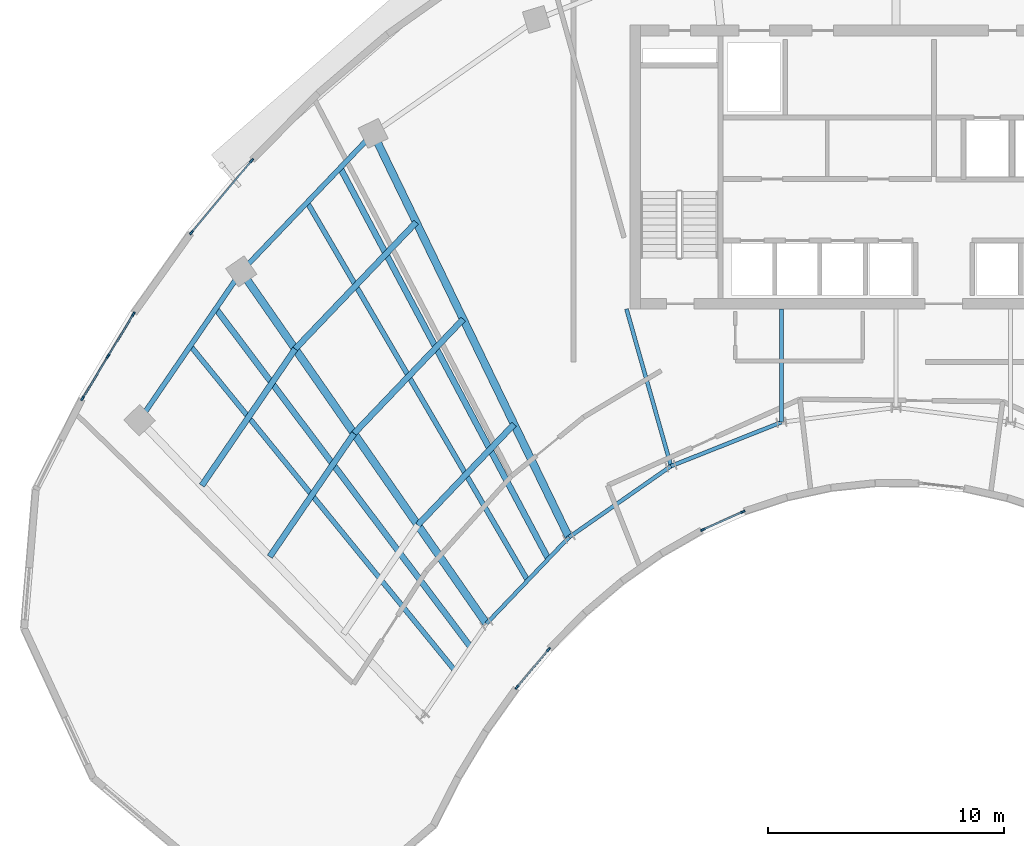
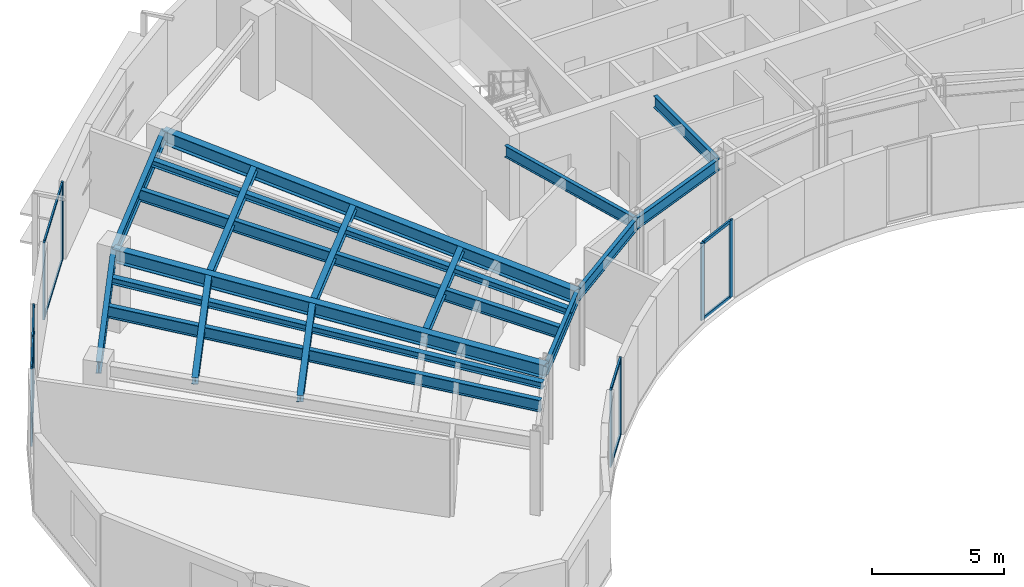
# One storey, part 2 of 12: 21 members, 18 beams, 4 elements without a shape of their own.
"""IFC4 building model written with IfcOpenShell, lengths in metres."""

from ifc_helpers import new_model, si_unit, direction, frame, origin, origin_2d, place, context, subcontext, project, spatial, rectangle, i_section, extrude, source, transform, mapped, material, layer, layer_set, material_profile, profile_set, type_object, type_shapes, element, aggregate, save


model = new_model("IFC4")

# Units and contexts
model_context = context("Model", 3, precision=1e-05, world=origin(), true_north=direction((0.0, 1.0)))
body_context = subcontext(model_context, "Body", "Model", "MODEL_VIEW")
ifc_project = project(units=[si_unit("LENGTHUNIT", "METRE"), si_unit("AREAUNIT", "SQUARE_METRE"), si_unit("VOLUMEUNIT", "CUBIC_METRE"), si_unit("PLANEANGLEUNIT", "RADIAN"), si_unit("MASSUNIT", "GRAM", prefix="KILO")], contexts=[model_context])

# Site, building, storey
site_placement = place(None, origin())
site = spatial("IfcSite", under=ifc_project, at=site_placement, CompositionType="ELEMENT")
building_placement = place(site_placement, origin())
building = spatial("IfcBuilding", under=site, at=building_placement, Name="Breltana Convention Tower", CompositionType="ELEMENT")
storey_placement = place(building_placement, frame((0.0, 0.0, 250.800048828125)))
storey = spatial("IfcBuildingStorey", under=building, at=storey_placement, Name="L61", CompositionType="ELEMENT", Elevation=250.800048828125)

# Beams
ifc_material_1 = material(Name="Steel ASTM A992 Grade 50", Category="steel")
ifc_material_profile_1 = material_profile(ifc_material_1, i_section(OverallWidth=0.166015625, OverallDepth=0.534912109375, WebThickness=0.01025390625, FlangeThickness=0.0166015625, at=origin_2d()), Name="W21X57")
ifc_profile_set_1 = profile_set([ifc_material_profile_1], Name="Steel ASTM A992 Grade 50")
beam_type_1 = type_object("IfcBeamType", Name="BM-BM-W21X57", PredefinedType="BEAM", material=ifc_profile_set_1)
shared_shape_1 = source(origin(), body_context, "Body", "SweptSolid", [
    extrude(i_section(OverallWidth=0.166015625, OverallDepth=0.534912109375, WebThickness=0.01025390625, FlangeThickness=0.0166015625, at=origin_2d()), origin(), (0.0, 0.0, 1.0), 6.904541015625),
])
type_shapes(beam_type_1, [shared_shape_1])
beam_1_placement = place(storey_placement, frame((36.60009765625, 60.199951171875, 3.3125), z_axis=(0.273006781054, -0.962012108811, 0.0), x_axis=(0.962012108811, 0.273006781054, 0.0)))
element("IfcBeam", 1, at=beam_1_placement, inside=storey, type_object=beam_type_1, Name="L61 South Core Tie Girder R04", PredefinedType="BEAM", context=body_context, shape_type="MappedRepresentation", body=[
    mapped(shared_shape_1, transform((0.0, 0.0, 0.0), scale=1.0)),
])
shared_shape_2 = source(origin(), body_context, "Body", "SweptSolid", [
    extrude(i_section(OverallWidth=0.166015625, OverallDepth=0.534912109375, WebThickness=0.01025390625, FlangeThickness=0.0166015625, at=origin_2d()), origin(), (0.0, 0.0, 1.0), 4.789306640625),
])
beam_2_placement = place(storey_placement, frame((43.153564453125, 60.199951171875, 3.3125), z_axis=(0.0, -1.0, 0.0), x_axis=(1.0, 0.0, 0.0)))
element("IfcBeam", 2, at=beam_2_placement, inside=storey, type_object=beam_type_1, Name="L61 South Core Tie Girder R05", PredefinedType="BEAM", context=body_context, shape_type="MappedRepresentation", body=[
    mapped(shared_shape_2, transform((0.0, 0.0, 0.0), scale=1.0)),
])
shared_shape_3 = source(origin(), body_context, "Body", "SweptSolid", [
    extrude(i_section(OverallWidth=0.166015625, OverallDepth=0.534912109375, WebThickness=0.01025390625, FlangeThickness=0.0166015625, at=origin_2d()), origin(), (0.0, 0.0, 1.0), 5.05126953125),
])
beam_3_placement = place(storey_placement, frame((30.67724609375, 46.892333984375, 3.3125), z_axis=(0.690729753845, 0.7231129975, 0.0), x_axis=(-0.7231129975, 0.690729753845, 0.0)))
element("IfcBeam", 3, at=beam_3_placement, inside=storey, type_object=beam_type_1, Name="L61 Inner Ring Beam 02", PredefinedType="BEAM", context=body_context, shape_type="MappedRepresentation", body=[
    mapped(shared_shape_3, transform((0.0, 0.0, 0.0), scale=1.0)),
])
shared_shape_4 = source(origin(), body_context, "Body", "SweptSolid", [
    extrude(i_section(OverallWidth=0.166015625, OverallDepth=0.534912109375, WebThickness=0.01025390625, FlangeThickness=0.0166015625, at=origin_2d()), origin(), (0.0, 0.0, 1.0), 5.265869140625),
])
beam_4_placement = place(storey_placement, frame((34.166259765625, 50.544921875, 3.3125), z_axis=(0.820167429517, 0.572123577176, 0.0), x_axis=(-0.572123577176, 0.820167429517, 0.0)))
element("IfcBeam", 4, at=beam_4_placement, inside=storey, type_object=beam_type_1, Name="L61 Inner Ring Beam 03", PredefinedType="BEAM", context=body_context, shape_type="MappedRepresentation", body=[
    mapped(shared_shape_4, transform((0.0, 0.0, 0.0), scale=1.0)),
])
shared_shape_5 = source(origin(), body_context, "Body", "SweptSolid", [
    extrude(i_section(OverallWidth=0.166015625, OverallDepth=0.534912109375, WebThickness=0.01025390625, FlangeThickness=0.0166015625, at=origin_2d()), origin(), (0.0, 0.0, 1.0), 5.022705078125),
])
beam_5_placement = place(storey_placement, frame((38.485107421875, 53.5576171875, 3.3125), z_axis=(0.929458966248, 0.368925507469, 0.0), x_axis=(-0.368925507469, 0.929458966248, 0.0)))
element("IfcBeam", 5, at=beam_5_placement, inside=storey, type_object=beam_type_1, Name="L61 Inner Ring Beam 04", PredefinedType="BEAM", context=body_context, shape_type="MappedRepresentation", body=[
    mapped(shared_shape_5, transform((0.0, 0.0, 0.0), scale=1.0)),
])
ifc_material_profile_2 = material_profile(ifc_material_1, i_section(OverallWidth=0.25390625, OverallDepth=0.305908203125, WebThickness=0.0087890625, FlangeThickness=0.0146484375, at=origin_2d()), Name="W12X53")
ifc_profile_set_2 = profile_set([ifc_material_profile_2], Name="Steel ASTM A992 Grade 50")
beam_type_2 = type_object("IfcBeamType", Name="BM-JSG-10", PredefinedType="JOIST", material=ifc_profile_set_2)
shared_shape_6 = source(origin(), body_context, "Body", "SweptSolid", [
    extrude(i_section(OverallWidth=0.25390625, OverallDepth=0.305908203125, WebThickness=0.0087890625, FlangeThickness=0.0146484375, at=origin_2d()), origin(), (0.0, 0.0, 1.0), 6.311767578125),
])
beam_6_placement = place(storey_placement, frame((21.5166015625, 49.72607421875, 3.427001953125), z_axis=(0.564453712577, 0.825464721449, 0.0), x_axis=(-0.825464721449, 0.564453712577, 0.0)))
element("IfcBeam", 6, at=beam_6_placement, inside=storey, type_object=beam_type_2, Name="L61 Composite Floor Joist 01.2", PredefinedType="JOIST", context=body_context, shape_type="MappedRepresentation", body=[
    mapped(shared_shape_6, transform((0.0, 0.0, 0.0), scale=1.0)),
])
shared_shape_7 = source(origin(), body_context, "Body", "SweptSolid", [
    extrude(i_section(OverallWidth=0.25390625, OverallDepth=0.305908203125, WebThickness=0.0087890625, FlangeThickness=0.0146484375, at=origin_2d()), origin(), (0.0, 0.0, 1.0), 6.997314453125),
])
beam_7_placement = place(storey_placement, frame((18.641845703125, 52.735595703125, 3.427001953125), z_axis=(0.564468756361, 0.825454434292, 0.0), x_axis=(-0.825454434292, 0.564468756361, 0.0)))
element("IfcBeam", 7, at=beam_7_placement, inside=storey, type_object=beam_type_2, Name="L61 Composite Floor Joist 01.3", PredefinedType="JOIST", context=body_context, shape_type="MappedRepresentation", body=[
    mapped(shared_shape_7, transform((0.0, 0.0, 0.0), scale=1.0)),
])
ifc_material_profile_3 = material_profile(ifc_material_1, i_section(OverallWidth=0.214111328125, OverallDepth=0.549072265625, WebThickness=0.0146484375, FlangeThickness=0.023681640625, at=origin_2d()), Name="W21X93")
ifc_profile_set_3 = profile_set([ifc_material_profile_3], Name="Steel ASTM A992 Grade 50")
beam_type_3 = type_object("IfcBeamType", Name="BM-JSG-03", PredefinedType="JOIST", material=ifc_profile_set_3)
shared_shape_8 = source(origin(), body_context, "Body", "SweptSolid", [
    extrude(i_section(OverallWidth=0.214111328125, OverallDepth=0.549072265625, WebThickness=0.0146484375, FlangeThickness=0.023681640625, at=origin_2d()), origin(), (0.0, 0.0, 1.0), 17.691650390625),
])
beam_8_placement = place(storey_placement, frame((29.330810546875, 44.923583984375, 3.305419921875), z_axis=(-0.631476958478, 0.775394642044, 0.0), x_axis=(-0.775394642044, -0.631476958478, 0.0)))
element("IfcBeam", 8, at=beam_8_placement, inside=storey, type_object=beam_type_3, Name="L61 Mid-Bay Radial Trimmer 01", PredefinedType="JOIST", context=body_context, shape_type="MappedRepresentation", body=[
    mapped(shared_shape_8, transform((0.0, 0.0, 0.0), scale=1.0)),
])
shared_shape_9 = source(origin(), body_context, "Body", "SweptSolid", [
    extrude(i_section(OverallWidth=0.25390625, OverallDepth=0.305908203125, WebThickness=0.0087890625, FlangeThickness=0.0146484375, at=origin_2d()), origin(), (0.0, 0.0, 1.0), 17.9072265625),
])
beam_9_placement = place(storey_placement, frame((30.00390625, 45.907958984375, 3.427001953125), z_axis=(-0.601382105028, 0.798961553363, 0.0), x_axis=(-0.798961553363, -0.601382105028, 0.0)))
element("IfcBeam", 9, at=beam_9_placement, inside=storey, type_object=beam_type_2, Name="L61 Quarter-Bay Radial Trimmer 01", PredefinedType="JOIST", context=body_context, shape_type="MappedRepresentation", body=[
    mapped(shared_shape_9, transform((0.0, 0.0, 0.0), scale=1.0)),
])
shared_shape_10 = source(origin(), body_context, "Body", "SweptSolid", [
    extrude(i_section(OverallWidth=0.25390625, OverallDepth=0.305908203125, WebThickness=0.0087890625, FlangeThickness=0.0146484375, at=origin_2d()), origin(), (0.0, 0.0, 1.0), 5.8974609375),
])
beam_10_placement = place(storey_placement, frame((27.774658203125, 51.063232421875, 3.427001953125), z_axis=(0.690713978666, 0.723128065888, 0.0), x_axis=(-0.723128065888, 0.690713978666, 0.0)))
element("IfcBeam", 10, at=beam_10_placement, inside=storey, type_object=beam_type_2, Name="L61 Composite Floor Joist 02.1", PredefinedType="JOIST", context=body_context, shape_type="MappedRepresentation", body=[
    mapped(shared_shape_10, transform((0.0, 0.0, 0.0), scale=1.0)),
])
shared_shape_11 = source(origin(), body_context, "Body", "SweptSolid", [
    extrude(i_section(OverallWidth=0.25390625, OverallDepth=0.305908203125, WebThickness=0.0087890625, FlangeThickness=0.0146484375, at=origin_2d()), origin(), (0.0, 0.0, 1.0), 6.68359375),
])
beam_11_placement = place(storey_placement, frame((25.079345703125, 54.936279296875, 3.427001953125), z_axis=(0.690720705885, 0.723121640156, 0.0), x_axis=(-0.723121640156, 0.690720705885, 0.0)))
element("IfcBeam", 11, at=beam_11_placement, inside=storey, type_object=beam_type_2, Name="L61 Composite Floor Joist 02.2", PredefinedType="JOIST", context=body_context, shape_type="MappedRepresentation", body=[
    mapped(shared_shape_11, transform((0.0, 0.0, 0.0), scale=1.0)),
])
shared_shape_12 = source(origin(), body_context, "Body", "SweptSolid", [
    extrude(i_section(OverallWidth=0.25390625, OverallDepth=0.305908203125, WebThickness=0.0087890625, FlangeThickness=0.0146484375, at=origin_2d()), origin(), (0.0, 0.0, 1.0), 7.40869140625),
])
beam_12_placement = place(storey_placement, frame((22.591552734375, 58.511474609375, 3.427001953125), z_axis=(0.690724936208, 0.723117599358, 0.0), x_axis=(-0.723117599358, 0.690724936208, 0.0)))
element("IfcBeam", 12, at=beam_12_placement, inside=storey, type_object=beam_type_2, Name="L61 Composite Floor Joist 02.3", PredefinedType="JOIST", context=body_context, shape_type="MappedRepresentation", body=[
    mapped(shared_shape_12, transform((0.0, 0.0, 0.0), scale=1.0)),
])
shared_shape_13 = source(origin(), body_context, "Body", "SweptSolid", [
    extrude(i_section(OverallWidth=0.214111328125, OverallDepth=0.549072265625, WebThickness=0.0146484375, FlangeThickness=0.023681640625, at=origin_2d()), origin(), (0.0, 0.0, 1.0), 18.50830078125),
])
beam_13_placement = place(storey_placement, frame((32.421630859375, 48.71875, 3.305419921875), z_axis=(-0.50368319637, 0.863888440537, 0.0), x_axis=(-0.863888440537, -0.50368319637, 0.0)))
element("IfcBeam", 13, at=beam_13_placement, inside=storey, type_object=beam_type_3, Name="L61 Mid-Bay Radial Trimmer 02", PredefinedType="JOIST", context=body_context, shape_type="MappedRepresentation", body=[
    mapped(shared_shape_13, transform((0.0, 0.0, 0.0), scale=1.0)),
])
shared_shape_14 = source(origin(), body_context, "Body", "SweptSolid", [
    extrude(i_section(OverallWidth=0.25390625, OverallDepth=0.305908203125, WebThickness=0.0087890625, FlangeThickness=0.0146484375, at=origin_2d()), origin(), (0.0, 0.0, 1.0), 18.731689453125),
])
beam_14_placement = place(storey_placement, frame((33.2939453125, 49.6318359375, 3.427001953125), z_axis=(-0.469820250451, 0.882762104004, 0.0), x_axis=(-0.882762104004, -0.469820250451, 0.0)))
element("IfcBeam", 14, at=beam_14_placement, inside=storey, type_object=beam_type_2, Name="L61 Quarter-Bay Radial Trimmer 02", PredefinedType="JOIST", context=body_context, shape_type="MappedRepresentation", body=[
    mapped(shared_shape_14, transform((0.0, 0.0, 0.0), scale=1.0)),
])
ifc_material_profile_4 = material_profile(ifc_material_1, i_section(OverallWidth=0.326904296875, OverallDepth=0.6220703125, WebThickness=0.015380859375, FlangeThickness=0.0244140625, at=origin_2d()), Name="W24X131")
ifc_profile_set_4 = profile_set([ifc_material_profile_4], Name="Steel ASTM A992 Grade 50")
beam_type_4 = type_object("IfcBeamType", Name="BM-RG-W24X131", PredefinedType="USERDEFINED", material=ifc_profile_set_4)
shared_shape_15 = source(origin(), body_context, "Body", "SweptSolid", [
    extrude(i_section(OverallWidth=0.326904296875, OverallDepth=0.6220703125, WebThickness=0.015380859375, FlangeThickness=0.0244140625, at=origin_2d()), origin(), (0.0, 0.0, 1.0), 18.1484375),
])
beam_15_placement = place(storey_placement, frame((30.67724609375, 46.892333984375, 3.26904296875), z_axis=(-0.571207556098, 0.820805657788, 0.0), x_axis=(-0.820805657788, -0.571207556098, 0.0)))
element("IfcBeam", 15, at=beam_15_placement, inside=storey, type_object=beam_type_4, Name="L61 Radial Floor Girder R02", ObjectType="GIRDER", PredefinedType="USERDEFINED", context=body_context, shape_type="MappedRepresentation", body=[
    mapped(shared_shape_15, transform((0.0, 0.0, 0.0), scale=1.0)),
])
shared_shape_16 = source(origin(), body_context, "Body", "SweptSolid", [
    extrude(i_section(OverallWidth=0.326904296875, OverallDepth=0.6220703125, WebThickness=0.015380859375, FlangeThickness=0.0244140625, at=origin_2d()), origin(), (0.0, 0.0, 1.0), 18.982421875),
])
beam_16_placement = place(storey_placement, frame((34.166259765625, 50.544921875, 3.26904296875), z_axis=(-0.436118560343, 0.89988921614, 0.0), x_axis=(-0.89988921614, -0.436118560343, 0.0)))
element("IfcBeam", 16, at=beam_16_placement, inside=storey, type_object=beam_type_4, Name="L61 Radial Floor Girder R03", ObjectType="GIRDER", PredefinedType="USERDEFINED", context=body_context, shape_type="MappedRepresentation", body=[
    mapped(shared_shape_16, transform((0.0, 0.0, 0.0), scale=1.0)),
])
ifc_material_profile_5 = material_profile(ifc_material_1, i_section(OverallWidth=0.214111328125, OverallDepth=0.549072265625, WebThickness=0.0146484375, FlangeThickness=0.023681640625, at=origin_2d()), Name="W21X93")
ifc_profile_set_5 = profile_set([ifc_material_profile_5], Name="Steel ASTM A992 Grade 50")
beam_type_5 = type_object("IfcBeamType", Name="BM-SP-W21X93", PredefinedType="SPANDREL", material=ifc_profile_set_5)
shared_shape_17 = source(origin(), body_context, "Body", "SweptSolid", [
    extrude(i_section(OverallWidth=0.214111328125, OverallDepth=0.549072265625, WebThickness=0.0146484375, FlangeThickness=0.023681640625, at=origin_2d()), origin(), (0.0, 0.0, 1.0), 7.625),
])
type_shapes(beam_type_5, [shared_shape_17])
beam_17_placement = place(storey_placement, frame((16.0068359375, 55.494384765625, 3.305419921875), z_axis=(0.564452031902, 0.825465870694, 0.0), x_axis=(-0.825465870694, 0.564452031902, 0.0)))
element("IfcBeam", 17, at=beam_17_placement, inside=storey, type_object=beam_type_5, Name="L61 Outer Spandrel Beam 01", PredefinedType="SPANDREL", context=body_context, shape_type="MappedRepresentation", body=[
    mapped(shared_shape_17, transform((0.0, 0.0, 0.0), scale=1.0)),
])
shared_shape_18 = source(origin(), body_context, "Body", "SweptSolid", [
    extrude(i_section(OverallWidth=0.214111328125, OverallDepth=0.549072265625, WebThickness=0.0146484375, FlangeThickness=0.023681640625, at=origin_2d()), origin(), (0.0, 0.0, 1.0), 8.073974609375),
])
beam_18_placement = place(storey_placement, frame((20.310791015625, 61.78857421875, 3.305419921875), z_axis=(0.69072885448, 0.723113856588, 0.0), x_axis=(-0.723113856588, 0.69072885448, 0.0)))
element("IfcBeam", 18, at=beam_18_placement, inside=storey, type_object=beam_type_5, Name="L61 Outer Spandrel Beam 02", PredefinedType="SPANDREL", context=body_context, shape_type="MappedRepresentation", body=[
    mapped(shared_shape_18, transform((0.0, 0.0, 0.0), scale=1.0)),
])

# Curtain wall, members
ifc_material_2 = material(Name="Aluminium Anodised Bronze Frame", Category="aluminium")
ifc_layer_1 = layer(ifc_material_2, 0.18994140625, Name="Aluminium Anodised Bronze Frame")
ifc_layer_set_1 = layer_set([ifc_layer_1], Name="Aluminium Anodised Bronze Frame")
curtain_wall_type_1 = type_object("IfcCurtainWallType", Name="CW-SYS-1", PredefinedType="NOTDEFINED", material=ifc_layer_set_1)
curtain_wall_1_placement = place(storey_placement, origin())
curtain_wall_1 = element("IfcCurtainWall", 19, at=curtain_wall_1_placement, inside=storey, type_object=curtain_wall_type_1, Name="L61 inner south-court glazing 4", PredefinedType="NOTDEFINED")
ifc_material_3 = material(Name="Aluminium Anodised Bronze", Category="aluminium")
ifc_material_profile_6 = material_profile(ifc_material_3, rectangle(XDim=0.080078125, YDim=0.139892578125, at=origin_2d()), Name="CWT-80X140")
ifc_profile_set_6 = profile_set([ifc_material_profile_6], Name="Aluminium Anodised Bronze")
member_type_1 = type_object("IfcMemberType", Name="CWT-140", PredefinedType="USERDEFINED", material=ifc_profile_set_6)
shared_shape_19 = source(origin(), body_context, "Body", "SweptSolid", [
    extrude(rectangle(XDim=0.080078125, YDim=0.139892578125, at=origin_2d()), origin(), (0.0, 0.0, 1.0), 1.770751953125),
])
member_1_placement = place(storey_placement, frame((41.48388671875, 51.606689453125, 0.0400390625), z_axis=(-0.9126937852, -0.408644166062, 0.0), x_axis=(0.408644166062, -0.9126937852, 0.0)))
member_1 = element("IfcMember", 20, at=member_1_placement, type_object=member_type_1, Name="CW-01 transom 1.1", ObjectType="TRANSOM", PredefinedType="USERDEFINED", context=body_context, shape_type="MappedRepresentation", body=[
    mapped(shared_shape_19, transform((0.0, 0.0, 0.0), scale=1.0)),
])
member_2_placement = place(storey_placement, frame((41.48388671875, 51.606689453125, 3.5400390625), z_axis=(-0.9126937852, -0.408644166062, 0.0), x_axis=(0.408644166062, -0.9126937852, 0.0)))
member_2 = element("IfcMember", 21, at=member_2_placement, type_object=member_type_1, Name="CW-01 transom 1.2", ObjectType="TRANSOM", PredefinedType="USERDEFINED", context=body_context, shape_type="MappedRepresentation", body=[
    mapped(shared_shape_19, transform((0.0, 0.0, 0.0), scale=1.0)),
])

curtain_wall_2_placement = place(storey_placement, origin())
curtain_wall_2 = element("IfcCurtainWall", 22, at=curtain_wall_2_placement, inside=storey, type_object=curtain_wall_type_1, Name="L61 inner south-court glazing 5", PredefinedType="NOTDEFINED")
shared_shape_20 = source(origin(), body_context, "Body", "SweptSolid", [
    extrude(rectangle(XDim=0.080078125, YDim=0.139892578125, at=origin_2d()), origin(), (0.0, 0.0, 1.0), 2.000732421875),
])
member_3_placement = place(storey_placement, frame((33.275390625, 45.766357421875, 0.0400390625), z_axis=(-0.641731421328, -0.766929451045, 0.0), x_axis=(0.766929451045, -0.641731421328, 0.0)))
member_3 = element("IfcMember", 23, at=member_3_placement, type_object=member_type_1, Name="CW-01 transom 1.1", ObjectType="TRANSOM", PredefinedType="USERDEFINED", context=body_context, shape_type="MappedRepresentation", body=[
    mapped(shared_shape_20, transform((0.0, 0.0, 0.0), scale=1.0)),
])
member_4_placement = place(storey_placement, frame((33.275390625, 45.766357421875, 3.5400390625), z_axis=(-0.641731421328, -0.766929451045, 0.0), x_axis=(0.766929451045, -0.641731421328, 0.0)))
member_4 = element("IfcMember", 24, at=member_4_placement, type_object=member_type_1, Name="CW-01 transom 1.2", ObjectType="TRANSOM", PredefinedType="USERDEFINED", context=body_context, shape_type="MappedRepresentation", body=[
    mapped(shared_shape_20, transform((0.0, 0.0, 0.0), scale=1.0)),
])

ifc_layer_2 = layer(ifc_material_2, 0.219970703125, Name="Aluminium Anodised Bronze Frame")
ifc_layer_set_2 = layer_set([ifc_layer_2], Name="Aluminium Anodised Bronze Frame")
curtain_wall_type_2 = type_object("IfcCurtainWallType", Name="CW-SYS-4", PredefinedType="NOTDEFINED", material=ifc_layer_set_2)
curtain_wall_3_placement = place(storey_placement, origin())
curtain_wall_3 = element("IfcCurtainWall", 25, at=curtain_wall_3_placement, inside=storey, type_object=curtain_wall_type_2, Name="L61 outer double-skin inner glazing 1", PredefinedType="NOTDEFINED")
ifc_material_profile_7 = material_profile(ifc_material_3, rectangle(XDim=0.070068359375, YDim=0.1201171875, at=origin_2d()), Name="CWT-70X120")
ifc_profile_set_7 = profile_set([ifc_material_profile_7], Name="Aluminium Anodised Bronze")
member_type_2 = type_object("IfcMemberType", Name="CWT-120", PredefinedType="USERDEFINED", material=ifc_profile_set_7)
shared_shape_21 = source(origin(), body_context, "Body", "SweptSolid", [
    extrude(rectangle(XDim=0.070068359375, YDim=0.1201171875, at=origin_2d()), origin(), (0.0, 0.0, 1.0), 2.001220703125),
])
member_5_placement = place(storey_placement, frame((13.61962890625, 56.455810546875, 0.034912109375), z_axis=(0.516897775642, 0.856047130441, 0.0), x_axis=(-0.856047130441, 0.516897775642, 0.0)))
member_5 = element("IfcMember", 26, at=member_5_placement, type_object=member_type_2, Name="CW-04 transom 1.1", ObjectType="TRANSOM", PredefinedType="USERDEFINED", context=body_context, shape_type="MappedRepresentation", body=[
    mapped(shared_shape_21, transform((0.0, 0.0, 0.0), scale=1.0)),
])
member_6_placement = place(storey_placement, frame((13.61962890625, 56.455810546875, 2.326904296875), z_axis=(0.516897775642, 0.856047130441, 0.0), x_axis=(-0.856047130441, 0.516897775642, 0.0)))
member_6 = element("IfcMember", 27, at=member_6_placement, type_object=member_type_2, Name="CW-04 transom 1.2", ObjectType="TRANSOM", PredefinedType="USERDEFINED", context=body_context, shape_type="MappedRepresentation", body=[
    mapped(shared_shape_21, transform((0.0, 0.0, 0.0), scale=1.0)),
])
member_7_placement = place(storey_placement, frame((13.61962890625, 56.455810546875, 3.544921875), z_axis=(0.516897775642, 0.856047130441, 0.0), x_axis=(-0.856047130441, 0.516897775642, 0.0)))
member_7 = element("IfcMember", 28, at=member_7_placement, type_object=member_type_2, Name="CW-04 transom 1.3", ObjectType="TRANSOM", PredefinedType="USERDEFINED", context=body_context, shape_type="MappedRepresentation", body=[
    mapped(shared_shape_21, transform((0.0, 0.0, 0.0), scale=1.0)),
])
member_8_placement = place(storey_placement, frame((14.6953125, 58.2373046875, 0.034912109375), z_axis=(0.516897775642, 0.856047130441, 0.0), x_axis=(-0.856047130441, 0.516897775642, 0.0)))
member_8 = element("IfcMember", 29, at=member_8_placement, type_object=member_type_2, Name="CW-04 transom 2.1", ObjectType="TRANSOM", PredefinedType="USERDEFINED", context=body_context, shape_type="MappedRepresentation", body=[
    mapped(shared_shape_21, transform((0.0, 0.0, 0.0), scale=1.0)),
])
member_9_placement = place(storey_placement, frame((14.6953125, 58.2373046875, 2.326904296875), z_axis=(0.516897775642, 0.856047130441, 0.0), x_axis=(-0.856047130441, 0.516897775642, 0.0)))
member_9 = element("IfcMember", 30, at=member_9_placement, type_object=member_type_2, Name="CW-04 transom 2.2", ObjectType="TRANSOM", PredefinedType="USERDEFINED", context=body_context, shape_type="MappedRepresentation", body=[
    mapped(shared_shape_21, transform((0.0, 0.0, 0.0), scale=1.0)),
])
member_10_placement = place(storey_placement, frame((14.6953125, 58.2373046875, 3.544921875), z_axis=(0.516897775642, 0.856047130441, 0.0), x_axis=(-0.856047130441, 0.516897775642, 0.0)))
member_10 = element("IfcMember", 31, at=member_10_placement, type_object=member_type_2, Name="CW-04 transom 2.3", ObjectType="TRANSOM", PredefinedType="USERDEFINED", context=body_context, shape_type="MappedRepresentation", body=[
    mapped(shared_shape_21, transform((0.0, 0.0, 0.0), scale=1.0)),
])

curtain_wall_4_placement = place(storey_placement, origin())
curtain_wall_4 = element("IfcCurtainWall", 32, at=curtain_wall_4_placement, inside=storey, type_object=curtain_wall_type_2, Name="L61 outer double-skin inner glazing 2", PredefinedType="NOTDEFINED")
shared_shape_22 = source(origin(), body_context, "Body", "SweptSolid", [
    extrude(rectangle(XDim=0.070068359375, YDim=0.1201171875, at=origin_2d()), origin(), (0.0, 0.0, 1.0), 3.892333984375),
])
member_11_placement = place(storey_placement, frame((18.22705078125, 63.4609375, 0.034912109375), z_axis=(0.641768558813, 0.766898374571, 0.0), x_axis=(-0.766898374571, 0.641768558813, 0.0)))
member_11 = element("IfcMember", 33, at=member_11_placement, type_object=member_type_2, Name="CW-04 transom 1.1", ObjectType="TRANSOM", PredefinedType="USERDEFINED", context=body_context, shape_type="MappedRepresentation", body=[
    mapped(shared_shape_22, transform((0.0, 0.0, 0.0), scale=1.0)),
])
member_12_placement = place(storey_placement, frame((18.22705078125, 63.4609375, 3.544921875), z_axis=(0.641768558813, 0.766898374571, 0.0), x_axis=(-0.766898374571, 0.641768558813, 0.0)))
member_12 = element("IfcMember", 34, at=member_12_placement, type_object=member_type_2, Name="CW-04 transom 1.2", ObjectType="TRANSOM", PredefinedType="USERDEFINED", context=body_context, shape_type="MappedRepresentation", body=[
    mapped(shared_shape_22, transform((0.0, 0.0, 0.0), scale=1.0)),
])

# Member
ifc_material_profile_8 = material_profile(ifc_material_3, rectangle(XDim=0.080078125, YDim=0.199951171875, at=origin_2d()), Name="CWM-80X200")
ifc_profile_set_8 = profile_set([ifc_material_profile_8], Name="Aluminium Anodised Bronze")
member_type_3 = type_object("IfcMemberType", Name="CWM-200", PredefinedType="MULLION", material=ifc_profile_set_8)
shared_shape_23 = source(origin(), body_context, "Body", "SweptSolid", [
    extrude(rectangle(XDim=0.080078125, YDim=0.199951171875, at=origin_2d()), origin(), (0.0, 0.0, 1.0), 3.579833984375),
])
member_13_placement = place(storey_placement, frame((41.520263671875, 51.623046875, 0.0), z_axis=(0.0, 0.0, 1.0), x_axis=(0.408602272116, -0.912712541396, 0.0)))
member_13 = element("IfcMember", 35, at=member_13_placement, type_object=member_type_3, Name="CW-01 mullion 1", PredefinedType="MULLION", context=body_context, shape_type="MappedRepresentation", body=[
    mapped(shared_shape_23, transform((0.0, 0.0, 0.0), scale=1.0)),
])

member_14_placement = place(storey_placement, frame((39.8310546875, 50.86669921875, 0.0), z_axis=(0.0, 0.0, 1.0), x_axis=(0.408602272116, -0.912712541396, 0.0)))
member_14 = element("IfcMember", 36, at=member_14_placement, type_object=member_type_3, Name="CW-01 mullion 2", PredefinedType="MULLION", context=body_context, shape_type="MappedRepresentation", body=[
    mapped(shared_shape_23, transform((0.0, 0.0, 0.0), scale=1.0)),
])

aggregate(curtain_wall_1, [member_13, member_14, member_1, member_2])

member_15_placement = place(storey_placement, frame((33.301025390625, 45.796875, 0.0), z_axis=(0.0, 0.0, 1.0), x_axis=(0.766884273635, -0.641785408725, 0.0)))
member_15 = element("IfcMember", 37, at=member_15_placement, type_object=member_type_3, Name="CW-01 mullion 1", PredefinedType="MULLION", context=body_context, shape_type="MappedRepresentation", body=[
    mapped(shared_shape_23, transform((0.0, 0.0, 0.0), scale=1.0)),
])

member_16_placement = place(storey_placement, frame((31.965576171875, 44.201171875, 0.0), z_axis=(0.0, 0.0, 1.0), x_axis=(0.766884273635, -0.641785408725, 0.0)))
member_16 = element("IfcMember", 38, at=member_16_placement, type_object=member_type_3, Name="CW-01 mullion 2", PredefinedType="MULLION", context=body_context, shape_type="MappedRepresentation", body=[
    mapped(shared_shape_23, transform((0.0, 0.0, 0.0), scale=1.0)),
])

aggregate(curtain_wall_2, [member_15, member_16, member_3, member_4])

member_17_placement = place(storey_placement, frame((13.59912109375, 56.421630859375, 0.0), z_axis=(0.0, 0.0, 1.0), x_axis=(-0.856060706117, 0.516875291963, 0.0)))
member_17 = element("IfcMember", 39, at=member_17_placement, type_object=member_type_3, Name="CW-04 mullion 1", PredefinedType="MULLION", context=body_context, shape_type="MappedRepresentation", body=[
    mapped(shared_shape_23, transform((0.0, 0.0, 0.0), scale=1.0)),
])

member_18_placement = place(storey_placement, frame((14.6748046875, 58.203125, 0.0), z_axis=(0.0, 0.0, 1.0), x_axis=(-0.856060706117, 0.516875291963, 0.0)))
member_18 = element("IfcMember", 40, at=member_18_placement, type_object=member_type_3, Name="CW-04 mullion 2", PredefinedType="MULLION", context=body_context, shape_type="MappedRepresentation", body=[
    mapped(shared_shape_23, transform((0.0, 0.0, 0.0), scale=1.0)),
])

member_19_placement = place(storey_placement, frame((15.75048828125, 59.984619140625, 0.0), z_axis=(0.0, 0.0, 1.0), x_axis=(-0.856060706117, 0.516875291963, 0.0)))
member_19 = element("IfcMember", 41, at=member_19_placement, type_object=member_type_3, Name="CW-04 mullion 3", PredefinedType="MULLION", context=body_context, shape_type="MappedRepresentation", body=[
    mapped(shared_shape_23, transform((0.0, 0.0, 0.0), scale=1.0)),
])

aggregate(curtain_wall_3, [member_17, member_18, member_19, member_5, member_6, member_7, member_8, member_9, member_10])

member_20_placement = place(storey_placement, frame((18.201416015625, 63.43017578125, 0.0), z_axis=(0.0, 0.0, 1.0), x_axis=(-0.766902846562, 0.64176321485, 0.0)))
member_20 = element("IfcMember", 42, at=member_20_placement, type_object=member_type_3, Name="CW-04 mullion 1", PredefinedType="MULLION", context=body_context, shape_type="MappedRepresentation", body=[
    mapped(shared_shape_23, transform((0.0, 0.0, 0.0), scale=1.0)),
])

member_21_placement = place(storey_placement, frame((20.750732421875, 66.4765625, 0.0), z_axis=(0.0, 0.0, 1.0), x_axis=(-0.766902846562, 0.64176321485, 0.0)))
member_21 = element("IfcMember", 43, at=member_21_placement, type_object=member_type_3, Name="CW-04 mullion 2", PredefinedType="MULLION", context=body_context, shape_type="MappedRepresentation", body=[
    mapped(shared_shape_23, transform((0.0, 0.0, 0.0), scale=1.0)),
])

aggregate(curtain_wall_4, [member_20, member_21, member_11, member_12])

save(model, "model.ifc")
